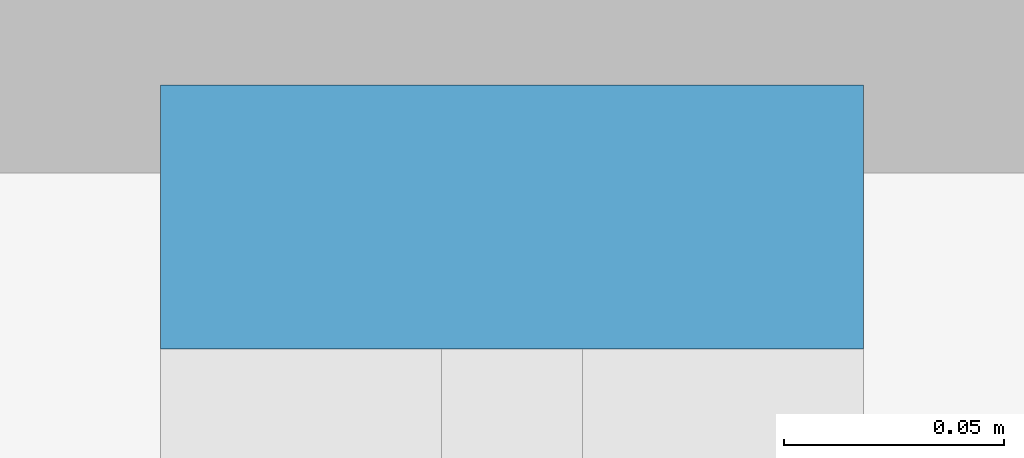
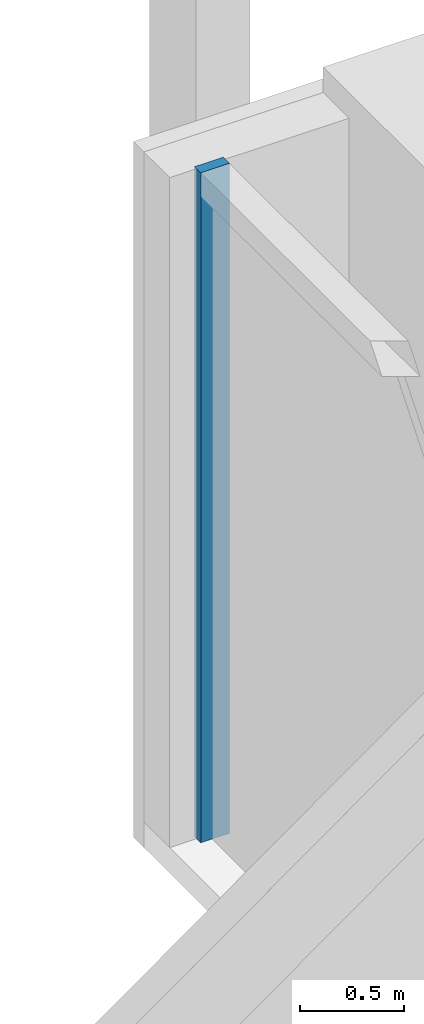
# One storey, part 15 of 29: 1 member, 1 element without a shape of its own.
"""IFC4 building model written with IfcOpenShell, lengths in metres."""

from ifc_helpers import new_model, si_unit, direction, frame, origin, origin_2d, place, context, subcontext, project, spatial, rectangle, extrude, material, material_profile, profile_set, type_object, element, aggregate, save


model = new_model("IFC4")

# Units and contexts
model_context = context("Model", 3, precision=1e-05, world=origin(), true_north=direction((0.0, 1.0)))
body_context = subcontext(model_context, "Body", "Model", "MODEL_VIEW")
ifc_project = project(units=[si_unit("LENGTHUNIT", "METRE"), si_unit("AREAUNIT", "SQUARE_METRE"), si_unit("VOLUMEUNIT", "CUBIC_METRE"), si_unit("PLANEANGLEUNIT", "RADIAN"), si_unit("MASSUNIT", "GRAM", prefix="KILO")], contexts=[model_context])

# Site, building, storey
site_placement = place(None, origin())
site = spatial("IfcSite", under=ifc_project, at=site_placement, CompositionType="ELEMENT")
building_placement = place(site_placement, origin())
building = spatial("IfcBuilding", under=site, at=building_placement, Name="Bicima Exchange Tower", CompositionType="ELEMENT")
storey_placement = place(building_placement, frame((0.0, 0.0, 190.89990234375)))
storey = spatial("IfcBuildingStorey", under=building, at=storey_placement, Name="L42", CompositionType="ELEMENT", Elevation=190.89990234375)

# Curtain wall, member
ifc_material = material(Name="Anodised bronze aluminium", Category="aluminium")
curtain_wall_type = type_object("IfcCurtainWallType", Name="Front glass wall", PredefinedType="NOTDEFINED", material=ifc_material)
curtain_wall_placement = place(storey_placement, origin())
curtain_wall = element("IfcCurtainWall", 1, at=curtain_wall_placement, inside=storey, type_object=curtain_wall_type, Name="Front glass wall L42 run 4", PredefinedType="NOTDEFINED")
ifc_material_profile = material_profile(ifc_material, rectangle(XDim=0.159912109375, YDim=0.06005859375, at=origin_2d()))
ifc_profile_set = profile_set([ifc_material_profile], Name="Anodised bronze aluminium")
member_type = type_object("IfcMemberType", Name="Front glass wall mullion 60 x 160", PredefinedType="MULLION", material=ifc_profile_set)
member_placement = place(storey_placement, frame((-22.77001953125, -0.260009765625, 0.0), z_axis=(0.0, 0.0, 1.0), x_axis=(1.0, 0.0, 0.0)))
member = element("IfcMember", 2, at=member_placement, type_object=member_type, Name="Front glass wall mullion 1", PredefinedType="MULLION", context=body_context, shape_type="SweptSolid", body=[
    extrude(rectangle(XDim=0.159912109375, YDim=0.06005859375, at=origin_2d()), origin(), (0.0, 0.0, 1.0), 3.9501953125),
])
aggregate(curtain_wall, [member])

save(model, "model.ifc")
